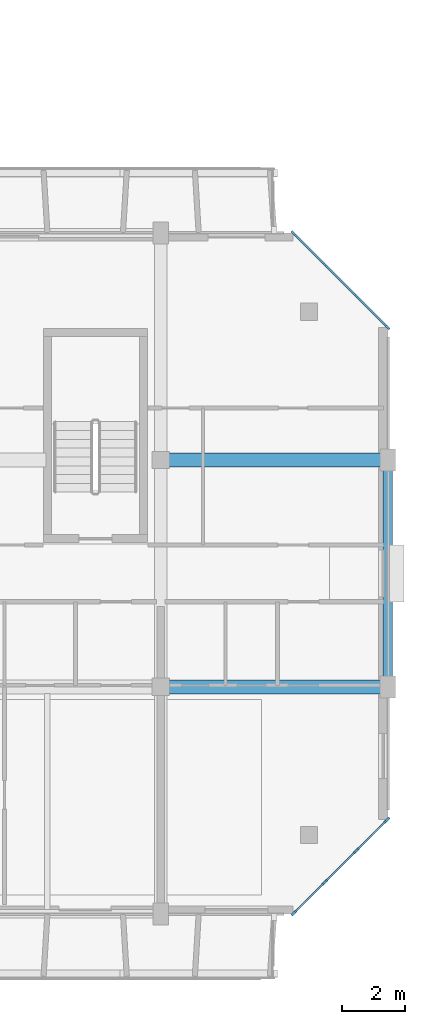
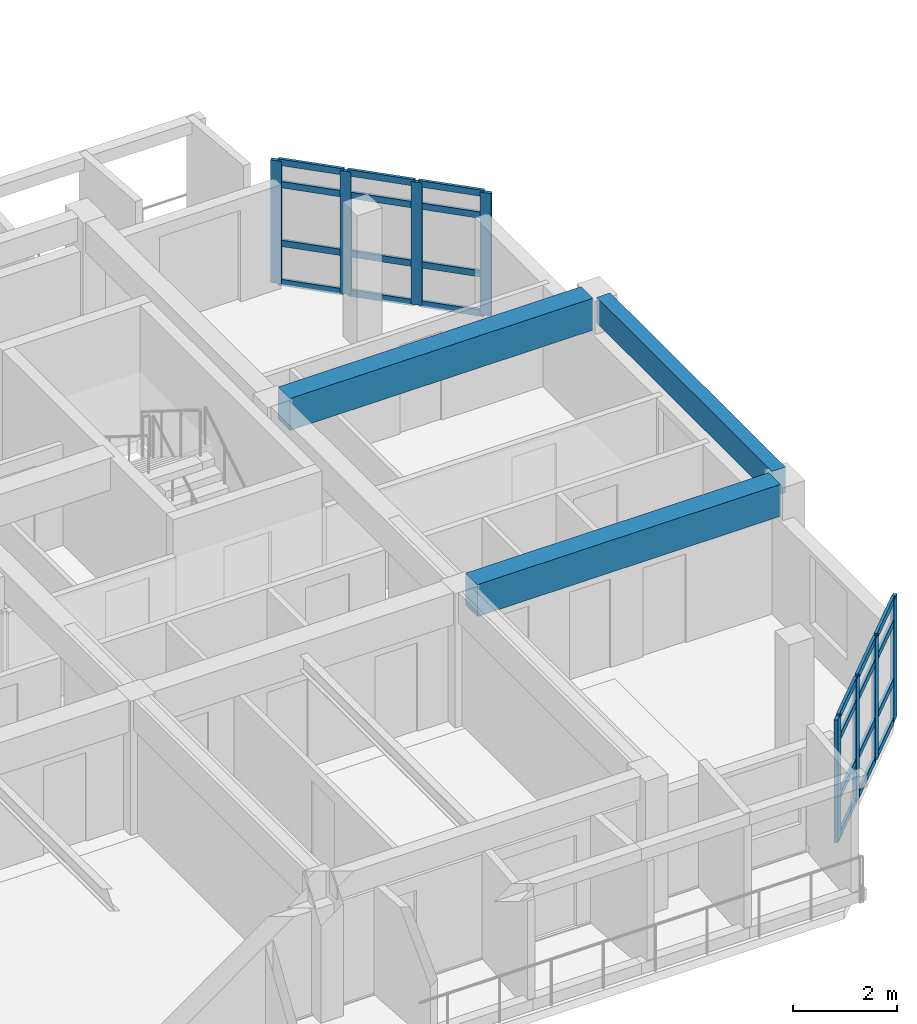
# One storey, part 9 of 51: 32 members, 3 beams, 2 elements without a shape of their own.
"""IFC4 building model written with IfcOpenShell, lengths in metres."""

from ifc_helpers import new_model, si_unit, direction, frame, origin, origin_2d, place, context, subcontext, project, spatial, rectangle, extrude, material, layer, layer_set, material_profile, profile_set, type_object, element, aggregate, save


model = new_model("IFC4")

# Units and contexts
model_context = context("Model", 3, precision=1e-05, world=origin(), true_north=direction((0.0, 1.0)))
body_context = subcontext(model_context, "Body", "Model", "MODEL_VIEW")
ifc_project = project(units=[si_unit("LENGTHUNIT", "METRE"), si_unit("AREAUNIT", "SQUARE_METRE"), si_unit("VOLUMEUNIT", "CUBIC_METRE"), si_unit("PLANEANGLEUNIT", "RADIAN"), si_unit("MASSUNIT", "GRAM", prefix="KILO")], contexts=[model_context])

# Site, building, storey
site_placement = place(None, origin())
site = spatial("IfcSite", under=ifc_project, at=site_placement, CompositionType="ELEMENT")
building_placement = place(site_placement, origin())
building = spatial("IfcBuilding", under=site, at=building_placement, Name="Ochrevale Crest", CompositionType="ELEMENT")
storey_placement = place(building_placement, frame((0.0, 0.0, 11.85009765625)))
storey = spatial("IfcBuildingStorey", under=building, at=storey_placement, Name="L03", CompositionType="ELEMENT", Elevation=11.85009765625)

# Beams
ifc_material_1 = material(Name="Concrete C50/60", Category="concrete")
ifc_material_profile_1 = material_profile(ifc_material_1, rectangle(XDim=0.449951171875, YDim=0.75, at=origin_2d()), Name="RC 450x750")
ifc_profile_set_1 = profile_set([ifc_material_profile_1], Name="Concrete C50/60")
beam_type_1 = type_object("IfcBeamType", Name="BM-PG450x750", PredefinedType="USERDEFINED", material=ifc_profile_set_1)
for number, where, z_axis, x_axis, name in (
    (1, (158.64990234375, 21.60009765625, 2.77490234375), (1.0, 0.0, 0.0), (0.0, 1.0, 0.0), "Block C L03 E-W beam Y=21.6"),
    (2, (158.64990234375, 28.800048828125, 2.77490234375), (1.0, 0.0, 0.0), (0.0, 1.0, 0.0), "Block C L03 E-W beam Y=28.8"),
):
    element("IfcBeam", number, at=place(storey_placement, frame(where, z_axis=z_axis, x_axis=x_axis)), inside=storey, type_object=beam_type_1, Name=name, ObjectType="GIRDER", PredefinedType="USERDEFINED", context=body_context, shape_type="SweptSolid", body=[
        extrude(rectangle(XDim=0.449951171875, YDim=0.75, at=origin_2d()), origin(), (0.0, 0.0, 1.0), 6.72509765625),
    ])
ifc_material_2 = material(Name="Precast concrete C40/50", Category="concrete")
ifc_material_profile_2 = material_profile(ifc_material_2, rectangle(XDim=0.300048828125, YDim=0.60009765625, at=origin_2d()), Name="PC 300x600")
ifc_profile_set_2 = profile_set([ifc_material_profile_2], Name="Precast concrete C40/50")
beam_type_2 = type_object("IfcBeamType", Name="BM-SP300x600", PredefinedType="SPANDREL", material=ifc_profile_set_2)
beam_placement = place(storey_placement, frame((165.60009765625, 21.830078125, 2.849853515625), z_axis=(0.0, 1.0, 0.0), x_axis=(-1.0, 0.0, 0.0)))
element("IfcBeam", 3, at=beam_placement, inside=storey, type_object=beam_type_2, Name="Block C L03 N-S beam X=165.6", PredefinedType="SPANDREL", context=body_context, shape_type="SweptSolid", body=[
    extrude(rectangle(XDim=0.300048828125, YDim=0.60009765625, at=origin_2d()), origin(), (0.0, 0.0, 1.0), 6.739990234375),
])

# Curtain wall, members
ifc_material_3 = material(Name="Anodised aluminium 6063-T5", Category="aluminium")
ifc_layer_1 = layer(ifc_material_3, 0.14990234375)
ifc_layer_set_1 = layer_set([ifc_layer_1], Name="Anodised aluminium 6063-T5")
curtain_wall_type_1 = type_object("IfcCurtainWallType", Name="CW-WG-240x285", PredefinedType="NOTDEFINED", material=ifc_layer_set_1)
curtain_wall_1_placement = place(storey_placement, origin())
curtain_wall_1 = element("IfcCurtainWall", 4, at=curtain_wall_1_placement, inside=storey, type_object=curtain_wall_type_1, Name="Block C L03 chamfered corner wintergarden curtain wall 2", PredefinedType="NOTDEFINED")
ifc_material_profile_3 = material_profile(ifc_material_3, rectangle(XDim=0.074951171875, YDim=0.219970703125, at=origin_2d()), Name="ALU 75x220")
ifc_profile_set_3 = profile_set([ifc_material_profile_3], Name="Anodised aluminium 6063-T5")
member_type_1 = type_object("IfcMemberType", Name="CW-MUL-75x220", PredefinedType="MULLION", material=ifc_profile_set_3)
member_1_placement = place(storey_placement, frame((162.62646484375, 14.426513671875, 0.0), z_axis=(0.0, 0.0, 1.0), x_axis=(-0.707106781187, 0.707106781187, 0.0)))
member_1 = element("IfcMember", 5, at=member_1_placement, type_object=member_type_1, Name="CW15 mullion 1", PredefinedType="MULLION", context=body_context, shape_type="SweptSolid", body=[
    extrude(rectangle(XDim=0.074951171875, YDim=0.219970703125, at=origin_2d()), origin(), (0.0, 0.0, 1.0), 2.875),
])
member_2_placement = place(storey_placement, frame((163.60009765625, 15.39990234375, 0.0), z_axis=(0.0, 0.0, 1.0), x_axis=(-0.707106781187, 0.707106781187, 0.0)))
member_2 = element("IfcMember", 6, at=member_2_placement, type_object=member_type_1, Name="CW15 mullion 2", PredefinedType="MULLION", context=body_context, shape_type="SweptSolid", body=[
    extrude(rectangle(XDim=0.074951171875, YDim=0.219970703125, at=origin_2d()), origin(), (0.0, 0.0, 1.0), 2.875),
])
member_3_placement = place(storey_placement, frame((164.60009765625, 16.39990234375, 0.0), z_axis=(0.0, 0.0, 1.0), x_axis=(-0.707106781187, 0.707106781187, 0.0)))
member_3 = element("IfcMember", 7, at=member_3_placement, type_object=member_type_1, Name="CW15 mullion 3", PredefinedType="MULLION", context=body_context, shape_type="SweptSolid", body=[
    extrude(rectangle(XDim=0.074951171875, YDim=0.219970703125, at=origin_2d()), origin(), (0.0, 0.0, 1.0), 2.875),
])
member_4_placement = place(storey_placement, frame((165.573486328125, 17.37353515625, 0.0), z_axis=(0.0, 0.0, 1.0), x_axis=(-0.707106781187, 0.707106781187, 0.0)))
member_4 = element("IfcMember", 8, at=member_4_placement, type_object=member_type_1, Name="CW15 mullion 4", PredefinedType="MULLION", context=body_context, shape_type="SweptSolid", body=[
    extrude(rectangle(XDim=0.074951171875, YDim=0.219970703125, at=origin_2d()), origin(), (0.0, 0.0, 1.0), 2.875),
])

ifc_layer_2 = layer(ifc_material_3, 0.14990234375)
ifc_layer_set_2 = layer_set([ifc_layer_2], Name="Anodised aluminium 6063-T5")
curtain_wall_type_2 = type_object("IfcCurtainWallType", Name="CW-WG-320x285", PredefinedType="NOTDEFINED", material=ifc_layer_set_2)
curtain_wall_2_placement = place(storey_placement, origin())
curtain_wall_2 = element("IfcCurtainWall", 9, at=curtain_wall_2_placement, inside=storey, type_object=curtain_wall_type_2, Name="Block C L03 chamfered corner wintergarden curtain wall 4", PredefinedType="NOTDEFINED")
member_5_placement = place(storey_placement, frame((165.573486328125, 33.026611328125, 0.0), z_axis=(0.0, 0.0, 1.0), x_axis=(-0.707106781187, -0.707106781187, 0.0)))
member_5 = element("IfcMember", 10, at=member_5_placement, type_object=member_type_1, Name="CW17 mullion 1", PredefinedType="MULLION", context=body_context, shape_type="SweptSolid", body=[
    extrude(rectangle(XDim=0.074951171875, YDim=0.219970703125, at=origin_2d()), origin(), (0.0, 0.0, 1.0), 2.875),
])
member_6_placement = place(storey_placement, frame((164.60009765625, 34.0, 0.0), z_axis=(0.0, 0.0, 1.0), x_axis=(-0.707106781187, -0.707106781187, 0.0)))
member_6 = element("IfcMember", 11, at=member_6_placement, type_object=member_type_1, Name="CW17 mullion 2", PredefinedType="MULLION", context=body_context, shape_type="SweptSolid", body=[
    extrude(rectangle(XDim=0.074951171875, YDim=0.219970703125, at=origin_2d()), origin(), (0.0, 0.0, 1.0), 2.875),
])
member_7_placement = place(storey_placement, frame((163.60009765625, 35.0, 0.0), z_axis=(0.0, 0.0, 1.0), x_axis=(-0.707106781187, -0.707106781187, 0.0)))
member_7 = element("IfcMember", 12, at=member_7_placement, type_object=member_type_1, Name="CW17 mullion 3", PredefinedType="MULLION", context=body_context, shape_type="SweptSolid", body=[
    extrude(rectangle(XDim=0.074951171875, YDim=0.219970703125, at=origin_2d()), origin(), (0.0, 0.0, 1.0), 2.875),
])
member_8_placement = place(storey_placement, frame((162.62646484375, 35.973388671875, 0.0), z_axis=(0.0, 0.0, 1.0), x_axis=(-0.707106781187, -0.707106781187, 0.0)))
member_8 = element("IfcMember", 13, at=member_8_placement, type_object=member_type_1, Name="CW17 mullion 4", PredefinedType="MULLION", context=body_context, shape_type="SweptSolid", body=[
    extrude(rectangle(XDim=0.074951171875, YDim=0.219970703125, at=origin_2d()), origin(), (0.0, 0.0, 1.0), 2.875),
])

# Member
ifc_material_profile_4 = material_profile(ifc_material_3, rectangle(XDim=0.06005859375, YDim=0.14990234375, at=origin_2d()), Name="ALU 60x150")
ifc_profile_set_4 = profile_set([ifc_material_profile_4], Name="Anodised aluminium 6063-T5")
member_type_2 = type_object("IfcMemberType", Name="CW-TRN-60x150", PredefinedType="USERDEFINED", material=ifc_profile_set_4)
member_9_placement = place(storey_placement, frame((162.653076171875, 14.453125, 0.02978515625), z_axis=(0.707106781187, 0.707106781187, 0.0), x_axis=(-0.707106781187, 0.707106781187, 0.0)))
member_9 = element("IfcMember", 14, at=member_9_placement, type_object=member_type_2, Name="CW15 transom 1.1", ObjectType="TRANSOM", PredefinedType="USERDEFINED", context=body_context, shape_type="SweptSolid", body=[
    extrude(rectangle(XDim=0.06005859375, YDim=0.14990234375, at=origin_2d()), origin(), (0.0, 0.0, 1.0), 1.3017578125),
])

member_10_placement = place(storey_placement, frame((162.653076171875, 14.453125, 0.949951171875), z_axis=(0.707106781187, 0.707106781187, 0.0), x_axis=(-0.707106781187, 0.707106781187, 0.0)))
member_10 = element("IfcMember", 15, at=member_10_placement, type_object=member_type_2, Name="CW15 transom 1.2", ObjectType="TRANSOM", PredefinedType="USERDEFINED", context=body_context, shape_type="SweptSolid", body=[
    extrude(rectangle(XDim=0.06005859375, YDim=0.14990234375, at=origin_2d()), origin(), (0.0, 0.0, 1.0), 1.3017578125),
])

member_11_placement = place(storey_placement, frame((162.653076171875, 14.453125, 2.324951171875), z_axis=(0.707106781187, 0.707106781187, 0.0), x_axis=(-0.707106781187, 0.707106781187, 0.0)))
member_11 = element("IfcMember", 16, at=member_11_placement, type_object=member_type_2, Name="CW15 transom 1.3", ObjectType="TRANSOM", PredefinedType="USERDEFINED", context=body_context, shape_type="SweptSolid", body=[
    extrude(rectangle(XDim=0.06005859375, YDim=0.14990234375, at=origin_2d()), origin(), (0.0, 0.0, 1.0), 1.3017578125),
])

member_12_placement = place(storey_placement, frame((162.653076171875, 14.453125, 2.844970703125), z_axis=(0.707106781187, 0.707106781187, 0.0), x_axis=(-0.707106781187, 0.707106781187, 0.0)))
member_12 = element("IfcMember", 17, at=member_12_placement, type_object=member_type_2, Name="CW15 transom 1.4", ObjectType="TRANSOM", PredefinedType="USERDEFINED", context=body_context, shape_type="SweptSolid", body=[
    extrude(rectangle(XDim=0.06005859375, YDim=0.14990234375, at=origin_2d()), origin(), (0.0, 0.0, 1.0), 1.3017578125),
])

member_13_placement = place(storey_placement, frame((163.62646484375, 15.426513671875, 0.02978515625), z_axis=(0.707106781187, 0.707106781187, 0.0), x_axis=(-0.707106781187, 0.707106781187, 0.0)))
member_13 = element("IfcMember", 18, at=member_13_placement, type_object=member_type_2, Name="CW15 transom 2.1", ObjectType="TRANSOM", PredefinedType="USERDEFINED", context=body_context, shape_type="SweptSolid", body=[
    extrude(rectangle(XDim=0.06005859375, YDim=0.14990234375, at=origin_2d()), origin(), (0.0, 0.0, 1.0), 1.33935546875),
])

member_14_placement = place(storey_placement, frame((163.62646484375, 15.426513671875, 0.949951171875), z_axis=(0.707106781187, 0.707106781187, 0.0), x_axis=(-0.707106781187, 0.707106781187, 0.0)))
member_14 = element("IfcMember", 19, at=member_14_placement, type_object=member_type_2, Name="CW15 transom 2.2", ObjectType="TRANSOM", PredefinedType="USERDEFINED", context=body_context, shape_type="SweptSolid", body=[
    extrude(rectangle(XDim=0.06005859375, YDim=0.14990234375, at=origin_2d()), origin(), (0.0, 0.0, 1.0), 1.33935546875),
])

member_15_placement = place(storey_placement, frame((163.62646484375, 15.426513671875, 2.324951171875), z_axis=(0.707106781187, 0.707106781187, 0.0), x_axis=(-0.707106781187, 0.707106781187, 0.0)))
member_15 = element("IfcMember", 20, at=member_15_placement, type_object=member_type_2, Name="CW15 transom 2.3", ObjectType="TRANSOM", PredefinedType="USERDEFINED", context=body_context, shape_type="SweptSolid", body=[
    extrude(rectangle(XDim=0.06005859375, YDim=0.14990234375, at=origin_2d()), origin(), (0.0, 0.0, 1.0), 1.33935546875),
])

member_16_placement = place(storey_placement, frame((163.62646484375, 15.426513671875, 2.844970703125), z_axis=(0.707106781187, 0.707106781187, 0.0), x_axis=(-0.707106781187, 0.707106781187, 0.0)))
member_16 = element("IfcMember", 21, at=member_16_placement, type_object=member_type_2, Name="CW15 transom 2.4", ObjectType="TRANSOM", PredefinedType="USERDEFINED", context=body_context, shape_type="SweptSolid", body=[
    extrude(rectangle(XDim=0.06005859375, YDim=0.14990234375, at=origin_2d()), origin(), (0.0, 0.0, 1.0), 1.33935546875),
])

member_17_placement = place(storey_placement, frame((164.62646484375, 16.426513671875, 0.02978515625), z_axis=(0.707106781187, 0.707106781187, 0.0), x_axis=(-0.707106781187, 0.707106781187, 0.0)))
member_17 = element("IfcMember", 22, at=member_17_placement, type_object=member_type_2, Name="CW15 transom 3.1", ObjectType="TRANSOM", PredefinedType="USERDEFINED", context=body_context, shape_type="SweptSolid", body=[
    extrude(rectangle(XDim=0.06005859375, YDim=0.14990234375, at=origin_2d()), origin(), (0.0, 0.0, 1.0), 1.3017578125),
])

member_18_placement = place(storey_placement, frame((164.62646484375, 16.426513671875, 0.949951171875), z_axis=(0.707106781187, 0.707106781187, 0.0), x_axis=(-0.707106781187, 0.707106781187, 0.0)))
member_18 = element("IfcMember", 23, at=member_18_placement, type_object=member_type_2, Name="CW15 transom 3.2", ObjectType="TRANSOM", PredefinedType="USERDEFINED", context=body_context, shape_type="SweptSolid", body=[
    extrude(rectangle(XDim=0.06005859375, YDim=0.14990234375, at=origin_2d()), origin(), (0.0, 0.0, 1.0), 1.3017578125),
])

member_19_placement = place(storey_placement, frame((164.62646484375, 16.426513671875, 2.324951171875), z_axis=(0.707106781187, 0.707106781187, 0.0), x_axis=(-0.707106781187, 0.707106781187, 0.0)))
member_19 = element("IfcMember", 24, at=member_19_placement, type_object=member_type_2, Name="CW15 transom 3.3", ObjectType="TRANSOM", PredefinedType="USERDEFINED", context=body_context, shape_type="SweptSolid", body=[
    extrude(rectangle(XDim=0.06005859375, YDim=0.14990234375, at=origin_2d()), origin(), (0.0, 0.0, 1.0), 1.3017578125),
])

member_20_placement = place(storey_placement, frame((164.62646484375, 16.426513671875, 2.844970703125), z_axis=(0.707106781187, 0.707106781187, 0.0), x_axis=(-0.707106781187, 0.707106781187, 0.0)))
member_20 = element("IfcMember", 25, at=member_20_placement, type_object=member_type_2, Name="CW15 transom 3.4", ObjectType="TRANSOM", PredefinedType="USERDEFINED", context=body_context, shape_type="SweptSolid", body=[
    extrude(rectangle(XDim=0.06005859375, YDim=0.14990234375, at=origin_2d()), origin(), (0.0, 0.0, 1.0), 1.3017578125),
])

aggregate(curtain_wall_1, [member_1, member_2, member_3, member_4, member_9, member_10, member_11, member_12, member_13, member_14, member_15, member_16, member_17, member_18, member_19, member_20])

member_21_placement = place(storey_placement, frame((165.546875, 33.052978515625, 0.02978515625), z_axis=(-0.707106781187, 0.707106781187, 0.0), x_axis=(-0.707106781187, -0.707106781187, 0.0)))
member_21 = element("IfcMember", 26, at=member_21_placement, type_object=member_type_2, Name="CW17 transom 1.1", ObjectType="TRANSOM", PredefinedType="USERDEFINED", context=body_context, shape_type="SweptSolid", body=[
    extrude(rectangle(XDim=0.06005859375, YDim=0.14990234375, at=origin_2d()), origin(), (0.0, 0.0, 1.0), 1.3017578125),
])

member_22_placement = place(storey_placement, frame((165.546875, 33.052978515625, 0.949951171875), z_axis=(-0.707106781187, 0.707106781187, 0.0), x_axis=(-0.707106781187, -0.707106781187, 0.0)))
member_22 = element("IfcMember", 27, at=member_22_placement, type_object=member_type_2, Name="CW17 transom 1.2", ObjectType="TRANSOM", PredefinedType="USERDEFINED", context=body_context, shape_type="SweptSolid", body=[
    extrude(rectangle(XDim=0.06005859375, YDim=0.14990234375, at=origin_2d()), origin(), (0.0, 0.0, 1.0), 1.3017578125),
])

member_23_placement = place(storey_placement, frame((165.546875, 33.052978515625, 2.324951171875), z_axis=(-0.707106781187, 0.707106781187, 0.0), x_axis=(-0.707106781187, -0.707106781187, 0.0)))
member_23 = element("IfcMember", 28, at=member_23_placement, type_object=member_type_2, Name="CW17 transom 1.3", ObjectType="TRANSOM", PredefinedType="USERDEFINED", context=body_context, shape_type="SweptSolid", body=[
    extrude(rectangle(XDim=0.06005859375, YDim=0.14990234375, at=origin_2d()), origin(), (0.0, 0.0, 1.0), 1.3017578125),
])

member_24_placement = place(storey_placement, frame((165.546875, 33.052978515625, 2.844970703125), z_axis=(-0.707106781187, 0.707106781187, 0.0), x_axis=(-0.707106781187, -0.707106781187, 0.0)))
member_24 = element("IfcMember", 29, at=member_24_placement, type_object=member_type_2, Name="CW17 transom 1.4", ObjectType="TRANSOM", PredefinedType="USERDEFINED", context=body_context, shape_type="SweptSolid", body=[
    extrude(rectangle(XDim=0.06005859375, YDim=0.14990234375, at=origin_2d()), origin(), (0.0, 0.0, 1.0), 1.3017578125),
])

member_25_placement = place(storey_placement, frame((164.573486328125, 34.026611328125, 0.02978515625), z_axis=(-0.707197932559, 0.707015618062, 0.0), x_axis=(-0.707015618062, -0.707197932559, 0.0)))
member_25 = element("IfcMember", 30, at=member_25_placement, type_object=member_type_2, Name="CW17 transom 2.1", ObjectType="TRANSOM", PredefinedType="USERDEFINED", context=body_context, shape_type="SweptSolid", body=[
    extrude(rectangle(XDim=0.06005859375, YDim=0.14990234375, at=origin_2d()), origin(), (0.0, 0.0, 1.0), 1.339111328125),
])

member_26_placement = place(storey_placement, frame((164.573486328125, 34.026611328125, 0.949951171875), z_axis=(-0.707197932559, 0.707015618062, 0.0), x_axis=(-0.707015618062, -0.707197932559, 0.0)))
member_26 = element("IfcMember", 31, at=member_26_placement, type_object=member_type_2, Name="CW17 transom 2.2", ObjectType="TRANSOM", PredefinedType="USERDEFINED", context=body_context, shape_type="SweptSolid", body=[
    extrude(rectangle(XDim=0.06005859375, YDim=0.14990234375, at=origin_2d()), origin(), (0.0, 0.0, 1.0), 1.339111328125),
])

member_27_placement = place(storey_placement, frame((164.573486328125, 34.026611328125, 2.324951171875), z_axis=(-0.707197932559, 0.707015618062, 0.0), x_axis=(-0.707015618062, -0.707197932559, 0.0)))
member_27 = element("IfcMember", 32, at=member_27_placement, type_object=member_type_2, Name="CW17 transom 2.3", ObjectType="TRANSOM", PredefinedType="USERDEFINED", context=body_context, shape_type="SweptSolid", body=[
    extrude(rectangle(XDim=0.06005859375, YDim=0.14990234375, at=origin_2d()), origin(), (0.0, 0.0, 1.0), 1.339111328125),
])

member_28_placement = place(storey_placement, frame((164.573486328125, 34.026611328125, 2.844970703125), z_axis=(-0.707197932559, 0.707015618062, 0.0), x_axis=(-0.707015618062, -0.707197932559, 0.0)))
member_28 = element("IfcMember", 33, at=member_28_placement, type_object=member_type_2, Name="CW17 transom 2.4", ObjectType="TRANSOM", PredefinedType="USERDEFINED", context=body_context, shape_type="SweptSolid", body=[
    extrude(rectangle(XDim=0.06005859375, YDim=0.14990234375, at=origin_2d()), origin(), (0.0, 0.0, 1.0), 1.339111328125),
])

member_29_placement = place(storey_placement, frame((163.573486328125, 35.026611328125, 0.02978515625), z_axis=(-0.707106781187, 0.707106781187, 0.0), x_axis=(-0.707106781187, -0.707106781187, 0.0)))
member_29 = element("IfcMember", 34, at=member_29_placement, type_object=member_type_2, Name="CW17 transom 3.1", ObjectType="TRANSOM", PredefinedType="USERDEFINED", context=body_context, shape_type="SweptSolid", body=[
    extrude(rectangle(XDim=0.06005859375, YDim=0.14990234375, at=origin_2d()), origin(), (0.0, 0.0, 1.0), 1.3017578125),
])

member_30_placement = place(storey_placement, frame((163.573486328125, 35.026611328125, 0.949951171875), z_axis=(-0.707106781187, 0.707106781187, 0.0), x_axis=(-0.707106781187, -0.707106781187, 0.0)))
member_30 = element("IfcMember", 35, at=member_30_placement, type_object=member_type_2, Name="CW17 transom 3.2", ObjectType="TRANSOM", PredefinedType="USERDEFINED", context=body_context, shape_type="SweptSolid", body=[
    extrude(rectangle(XDim=0.06005859375, YDim=0.14990234375, at=origin_2d()), origin(), (0.0, 0.0, 1.0), 1.3017578125),
])

member_31_placement = place(storey_placement, frame((163.573486328125, 35.026611328125, 2.324951171875), z_axis=(-0.707106781187, 0.707106781187, 0.0), x_axis=(-0.707106781187, -0.707106781187, 0.0)))
member_31 = element("IfcMember", 36, at=member_31_placement, type_object=member_type_2, Name="CW17 transom 3.3", ObjectType="TRANSOM", PredefinedType="USERDEFINED", context=body_context, shape_type="SweptSolid", body=[
    extrude(rectangle(XDim=0.06005859375, YDim=0.14990234375, at=origin_2d()), origin(), (0.0, 0.0, 1.0), 1.3017578125),
])

member_32_placement = place(storey_placement, frame((163.573486328125, 35.026611328125, 2.844970703125), z_axis=(-0.707106781187, 0.707106781187, 0.0), x_axis=(-0.707106781187, -0.707106781187, 0.0)))
member_32 = element("IfcMember", 37, at=member_32_placement, type_object=member_type_2, Name="CW17 transom 3.4", ObjectType="TRANSOM", PredefinedType="USERDEFINED", context=body_context, shape_type="SweptSolid", body=[
    extrude(rectangle(XDim=0.06005859375, YDim=0.14990234375, at=origin_2d()), origin(), (0.0, 0.0, 1.0), 1.3017578125),
])

aggregate(curtain_wall_2, [member_5, member_6, member_7, member_8, member_21, member_22, member_23, member_24, member_25, member_26, member_27, member_28, member_29, member_30, member_31, member_32])

save(model, "model.ifc")
